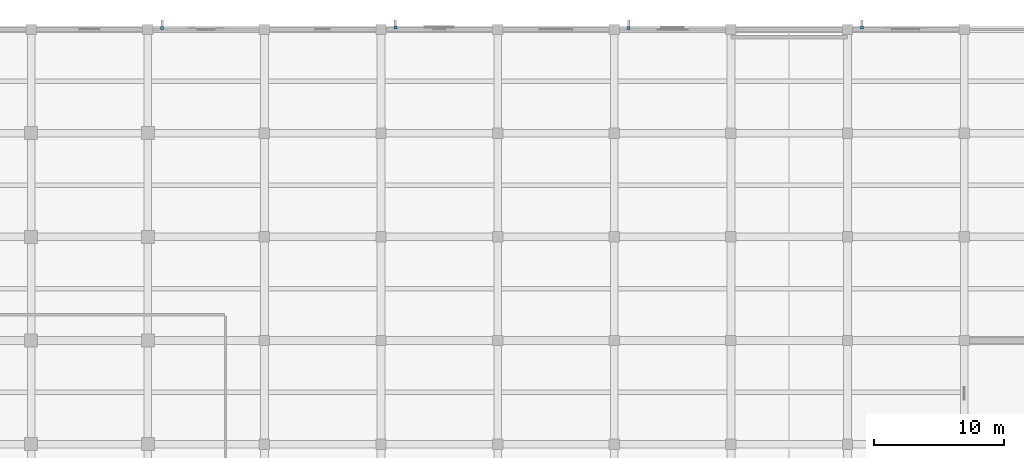
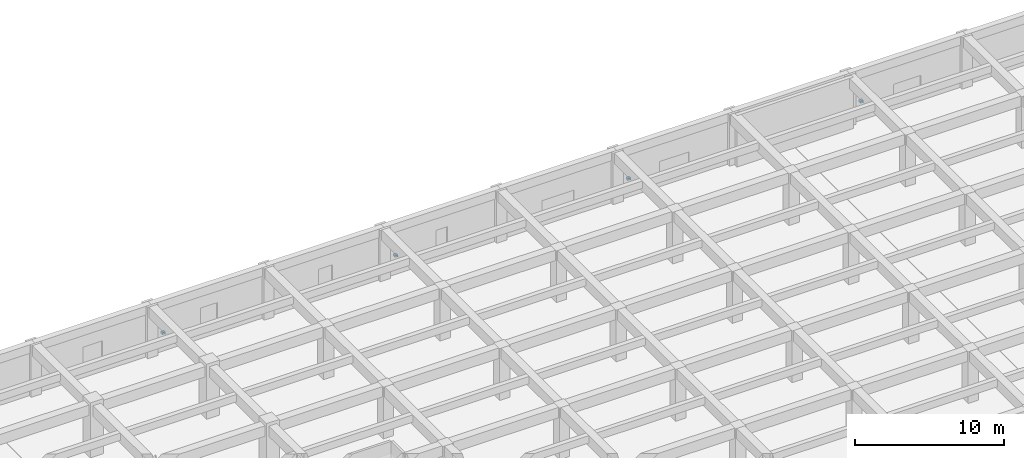
# One storey, part 24 of 32: 4 discrete accessories.
"""IFC4 building model written with IfcOpenShell, lengths in metres."""

from ifc_helpers import new_model, si_unit, direction, frame, origin, origin_2d, place, context, subcontext, project, spatial, rectangle, extrude, material, layer, layer_set, type_object, element, save


model = new_model("IFC4")

# Units and contexts
model_context = context("Model", 3, precision=1e-05, world=origin(), true_north=direction((0.0, 1.0)))
body_context = subcontext(model_context, "Body", "Model", "MODEL_VIEW")
ifc_project = project(units=[si_unit("LENGTHUNIT", "METRE"), si_unit("AREAUNIT", "SQUARE_METRE"), si_unit("VOLUMEUNIT", "CUBIC_METRE"), si_unit("PLANEANGLEUNIT", "RADIAN"), si_unit("MASSUNIT", "GRAM", prefix="KILO")], contexts=[model_context])

# Site, building, storey
site_placement = place(None, origin())
site = spatial("IfcSite", under=ifc_project, at=site_placement, CompositionType="ELEMENT")
building_placement = place(site_placement, origin())
building = spatial("IfcBuilding", under=site, at=building_placement, Name="Zaverband Oceanarium and Marine Research Institute", CompositionType="ELEMENT")
storey_placement = place(building_placement, frame((0.0, 0.0, 13.5)))
storey = spatial("IfcBuildingStorey", under=building, at=storey_placement, Name="L03", CompositionType="ELEMENT", Elevation=13.5)

# Discrete accessories
ifc_material = material(Name="Steel S355", Category="steel")
ifc_layer = layer(ifc_material, 0.179931640625, Name="Steel S355")
ifc_layer_set = layer_set([ifc_layer], Name="Steel S355")
discrete_accessory_type = type_object("IfcDiscreteAccessoryType", Name="BRK-STL-200", PredefinedType="BRACKET", material=ifc_layer_set)
for number, where, z_axis, x_axis, name in (
    (1, (73.10498046875, 120.132568359375, 1.22021484375), (0.0, 0.0, 1.0), (1.0, 0.0, 0.0), "Galvanized steel facade fin structural bracket BRK-STL-200"),
    (2, (91.10498046875, 120.155029296875, 1.22021484375), (0.0, 0.0, 1.0), (1.0, 0.0, 0.0), "Galvanized steel facade fin structural bracket BRK-STL-200"),
    (3, (109.10498046875, 120.132568359375, 1.22021484375), (0.0, 0.0, 1.0), (1.0, 0.0, 0.0), "Galvanized steel facade fin structural bracket BRK-STL-200"),
    (4, (127.10498046875, 120.155029296875, 1.22021484375), (0.0, 0.0, 1.0), (1.0, 0.0, 0.0), "Galvanized steel facade fin structural bracket BRK-STL-200"),
):
    element("IfcDiscreteAccessory", number, at=place(storey_placement, frame(where, z_axis=z_axis, x_axis=x_axis)), inside=storey, type_object=discrete_accessory_type, Name=name, PredefinedType="BRACKET", context=body_context, shape_type="SweptSolid", body=[
        extrude(rectangle(XDim=0.239990234375, YDim=0.239990234375, at=origin_2d()), origin(), (0.0, 0.0, 1.0), 0.179931640625),
    ])

save(model, "model.ifc")
